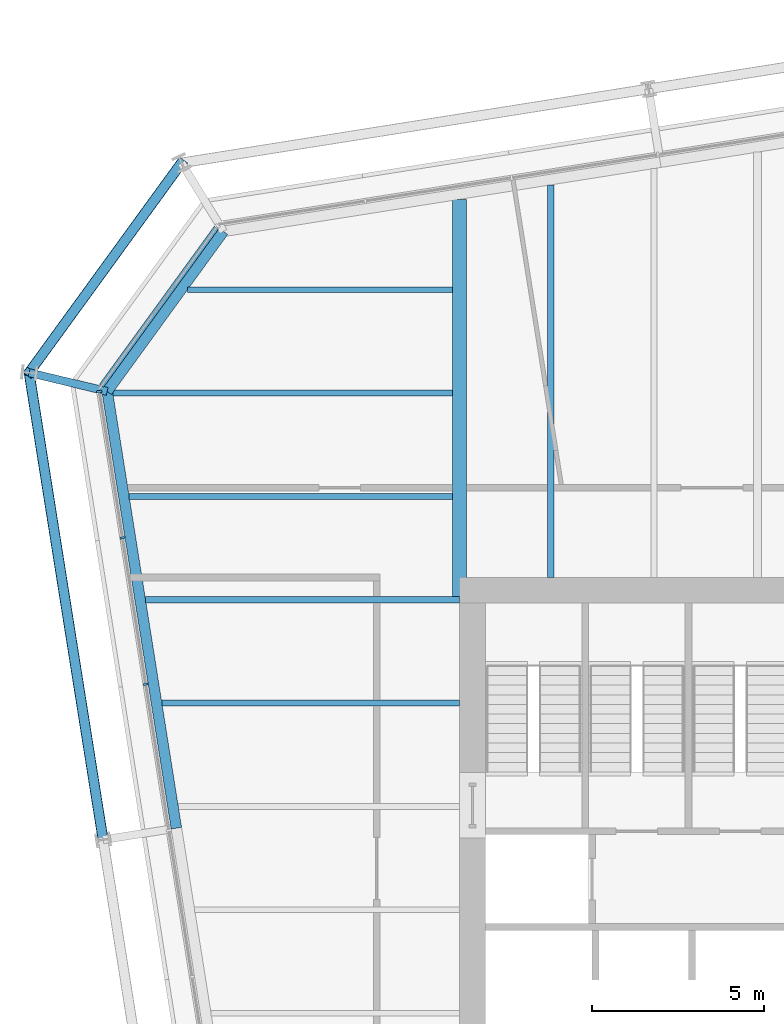
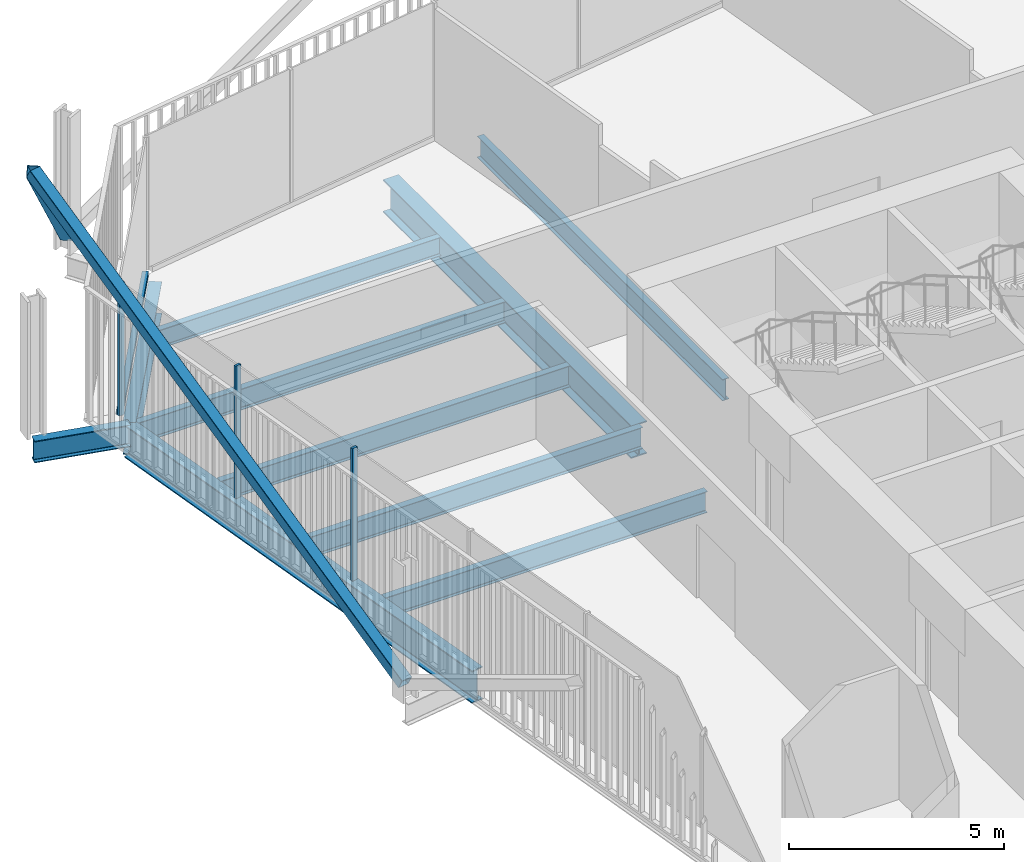
# One storey, part 10 of 22: 10 beams, 6 members, 2 elements without a shape of their own.
"""IFC4 building model written with IfcOpenShell, lengths in metres."""

from ifc_helpers import new_model, si_unit, direction, frame, origin, origin_2d, place, context, subcontext, project, spatial, rectangle, hollow_rectangle, i_section, extrude, material, layer, layer_set, material_profile, profile_set, type_object, element, aggregate, save


model = new_model("IFC4")

# Units and contexts
model_context = context("Model", 3, precision=1e-05, world=origin(), true_north=direction((0.0, 1.0)))
body_context = subcontext(model_context, "Body", "Model", "MODEL_VIEW")
ifc_project = project(units=[si_unit("LENGTHUNIT", "METRE"), si_unit("AREAUNIT", "SQUARE_METRE"), si_unit("VOLUMEUNIT", "CUBIC_METRE"), si_unit("PLANEANGLEUNIT", "RADIAN"), si_unit("MASSUNIT", "GRAM", prefix="KILO")], contexts=[model_context])

# Site, building, storey
site_placement = place(None, origin())
site = spatial("IfcSite", under=ifc_project, at=site_placement, CompositionType="ELEMENT")
building_placement = place(site_placement, origin())
building = spatial("IfcBuilding", under=site, at=building_placement, Name="Millrace Tower", CompositionType="ELEMENT")
storey_placement = place(building_placement, frame((0.0, 0.0, 160.699951171875)))
storey = spatial("IfcBuildingStorey", under=building, at=storey_placement, Name="L36", CompositionType="ELEMENT", Elevation=160.699951171875)

# Curtain wall, members
ifc_material_1 = material(Name="Aluminium and glass", Category="aluminium")
ifc_layer = layer(ifc_material_1, 0.14990234375)
ifc_layer_set = layer_set([ifc_layer], Name="Aluminium and glass")
curtain_wall_type = type_object("IfcCurtainWallType", Name="CW-1 office vision curtain wall", PredefinedType="NOTDEFINED", material=ifc_layer_set)
placement = place(storey_placement, origin())
curtain_wall_1 = element("IfcCurtainWall", 1, at=placement, inside=storey, type_object=curtain_wall_type, Name="Curtain wall C-F08 L36", PredefinedType="NOTDEFINED")
ifc_material_2 = material(Name="Aluminium", Category="aluminium")
ifc_material_profile_1 = material_profile(ifc_material_2, rectangle(XDim=0.06494140625, YDim=0.14990234375, at=origin_2d()))
ifc_profile_set_1 = profile_set([ifc_material_profile_1], Name="Aluminium")
member_type_1 = type_object("IfcMemberType", Name="CW-1 office vision curtain wall mullion", PredefinedType="MULLION", material=ifc_profile_set_1)
member_1_placement = place(storey_placement, frame((-25.106689453125, 15.041748046875, 0.14013671875), z_axis=(0.0, 0.0, 1.0), x_axis=(0.15643447328, -0.98768833929, 0.0)))
member_1 = element("IfcMember", 2, at=member_1_placement, type_object=member_type_1, Name="CW1 mullion C-F08.1", PredefinedType="MULLION", context=body_context, shape_type="SweptSolid", body=[
    extrude(rectangle(XDim=0.06494140625, YDim=0.14990234375, at=origin_2d()), origin(), (0.0, 0.0, 1.0), 3.760009765625),
])
member_2_placement = place(storey_placement, frame((-24.43408203125, 10.794677734375, 0.14013671875), z_axis=(0.0, 0.0, 1.0), x_axis=(0.15643447328, -0.98768833929, 0.0)))
member_2 = element("IfcMember", 3, at=member_2_placement, type_object=member_type_1, Name="CW1 mullion C-F08.2", PredefinedType="MULLION", context=body_context, shape_type="SweptSolid", body=[
    extrude(rectangle(XDim=0.06494140625, YDim=0.14990234375, at=origin_2d()), origin(), (0.0, 0.0, 1.0), 3.760009765625),
])
member_3_placement = place(storey_placement, frame((-23.76123046875, 6.547607421875, 0.14013671875), z_axis=(0.0, 0.0, 1.0), x_axis=(0.15643447328, -0.98768833929, 0.0)))
member_3 = element("IfcMember", 4, at=member_3_placement, type_object=member_type_1, Name="CW1 mullion C-F08.3", PredefinedType="MULLION", context=body_context, shape_type="SweptSolid", body=[
    extrude(rectangle(XDim=0.06494140625, YDim=0.14990234375, at=origin_2d()), origin(), (0.0, 0.0, 1.0), 3.760009765625),
])
aggregate(curtain_wall_1, [member_1, member_2, member_3])

# Curtain wall, member
curtain_wall_2 = element("IfcCurtainWall", 5, at=placement, inside=storey, type_object=curtain_wall_type, Name="Curtain wall C-F07 L36", PredefinedType="NOTDEFINED")
ifc_material_3 = material(Name="Aluminium", Category="aluminium")
ifc_material_profile_2 = material_profile(ifc_material_3, rectangle(XDim=0.14990234375, YDim=0.139892578125, at=origin_2d()))
ifc_profile_set_2 = profile_set([ifc_material_profile_2], Name="Aluminium")
member_type_2 = type_object("IfcMemberType", Name="CW-1 office vision curtain wall transom", PredefinedType="USERDEFINED", material=ifc_profile_set_2)
member_4_placement = place(storey_placement, frame((-21.70751953125, 19.796875, 0.070068359375), z_axis=(-0.587761915215, -0.80903394924, 0.0), x_axis=(0.80903394924, -0.587761915215, 0.0)))
member_4 = element("IfcMember", 6, at=member_4_placement, type_object=member_type_2, Name="CW1 transom C-F07.1", ObjectType="TRANSOM", PredefinedType="USERDEFINED", context=body_context, shape_type="SweptSolid", body=[
    extrude(rectangle(XDim=0.14990234375, YDim=0.139892578125, at=origin_2d()), origin(), (0.0, 0.0, 1.0), 5.6689453125),
])
aggregate(curtain_wall_2, [member_4])

# Members
ifc_material_4 = material(Name="Steel ASTM A500 Grade C", Category="steel")
ifc_material_profile_3 = material_profile(ifc_material_4, hollow_rectangle(XDim=0.3046875, YDim=0.3046875, WallThickness=0.0126953125, InnerFilletRadius=0.00634765625, OuterFilletRadius=0.01904296875, at=origin_2d()))
ifc_profile_set_3 = profile_set([ifc_material_profile_3], Name="Steel ASTM A500 Grade C")
member_type_3 = type_object("IfcMemberType", Name="Exoskeleton brace HSS12x12x1/2", PredefinedType="BRACE", material=ifc_profile_set_3)
member_5_placement = place(storey_placement, frame((-22.718994140625, 21.679443359375, 0.400146484375), z_axis=(-0.430389097037, -0.592387752691, 0.681059450866), x_axis=(0.809020759968, -0.587780069364, 0.0)))
element("IfcMember", 7, at=member_5_placement, inside=storey, type_object=member_type_3, Name="BRC-C-L36-13", PredefinedType="BRACE", context=body_context, shape_type="SweptSolid", body=[
    extrude(hollow_rectangle(XDim=0.3046875, YDim=0.3046875, WallThickness=0.0126953125, InnerFilletRadius=0.00634765625, OuterFilletRadius=0.01904296875, at=origin_2d()), origin(), (0.0, 0.0, 1.0), 10.278076171875),
])
member_6_placement = place(storey_placement, frame((-24.9951171875, 2.031494140625, 0.400146484375), z_axis=(-0.139355372932, 0.879906554943, 0.454251620363), x_axis=(-0.987689751328, -0.156425557764, 0.0)))
element("IfcMember", 8, at=member_6_placement, inside=storey, type_object=member_type_3, Name="BRC-C-L36-14", PredefinedType="BRACE", context=body_context, shape_type="SweptSolid", body=[
    extrude(hollow_rectangle(XDim=0.3046875, YDim=0.3046875, WallThickness=0.0126953125, InnerFilletRadius=0.00634765625, OuterFilletRadius=0.01904296875, at=origin_2d()), origin(), (0.0, 0.0, 1.0), 15.409912109375),
])

# Beams
ifc_material_5 = material(Name="Steel ASTM A992 Grade 50", Category="steel")
ifc_material_profile_4 = material_profile(ifc_material_5, i_section(OverallWidth=0.1650390625, OverallDepth=0.52587890625, WebThickness=0.0087890625, FlangeThickness=0.011474609375, FilletRadius=0.0126953125, at=origin_2d()))
ifc_profile_set_4 = profile_set([ifc_material_profile_4], Name="Steel ASTM A992 Grade 50")
beam_type_1 = type_object("IfcBeamType", Name="Floor beam W21x44", PredefinedType="JOIST", material=ifc_profile_set_4)
beam_1_placement = place(storey_placement, frame((-22.540283203125, 18.0, -0.4228515625), z_axis=(1.0, 0.0, 0.0), x_axis=(0.0, 1.0, 0.0)))
element("IfcBeam", 9, at=beam_1_placement, inside=storey, type_object=beam_type_1, Name="BM-C-L36-S1-S035", PredefinedType="JOIST", context=body_context, shape_type="SweptSolid", body=[
    extrude(i_section(OverallWidth=0.1650390625, OverallDepth=0.52587890625, WebThickness=0.0087890625, FlangeThickness=0.011474609375, FilletRadius=0.0126953125, at=origin_2d()), origin(), (0.0, 0.0, 1.0), 7.6806640625),
])
ifc_material_6 = material(Name="Steel ASTM A992 Grade 50", Category="steel")
ifc_material_profile_5 = material_profile(ifc_material_6, i_section(OverallWidth=0.177978515625, OverallDepth=0.599365234375, WebThickness=0.010009765625, FlangeThickness=0.012939453125, FilletRadius=0.012939453125, at=origin_2d()))
ifc_profile_set_5 = profile_set([ifc_material_profile_5], Name="Steel ASTM A992 Grade 50")
beam_type_2 = type_object("IfcBeamType", Name="Floor beam W24x55", PredefinedType="JOIST", material=ifc_profile_set_5)
beam_2_placement = place(storey_placement, frame((-23.28759765625, 6.0, -0.459716796875), z_axis=(1.0, 0.0, 0.0), x_axis=(0.0, 1.0, 0.0)))
element("IfcBeam", 10, at=beam_2_placement, inside=storey, type_object=beam_type_2, Name="BM-C-L36-S1-S026", PredefinedType="JOIST", context=body_context, shape_type="SweptSolid", body=[
    extrude(i_section(OverallWidth=0.177978515625, OverallDepth=0.599365234375, WebThickness=0.010009765625, FlangeThickness=0.012939453125, FilletRadius=0.012939453125, at=origin_2d()), origin(), (0.0, 0.0, 1.0), 8.6376953125),
])
beam_3_placement = place(storey_placement, frame((-23.7626953125, 9.0, -0.459716796875), z_axis=(1.0, 0.0, 0.0), x_axis=(0.0, 1.0, 0.0)))
element("IfcBeam", 11, at=beam_3_placement, inside=storey, type_object=beam_type_2, Name="BM-C-L36-S1-S029", PredefinedType="JOIST", context=body_context, shape_type="SweptSolid", body=[
    extrude(i_section(OverallWidth=0.177978515625, OverallDepth=0.599365234375, WebThickness=0.010009765625, FlangeThickness=0.012939453125, FilletRadius=0.012939453125, at=origin_2d()), origin(), (0.0, 0.0, 1.0), 9.11279296875),
])
beam_4_placement = place(storey_placement, frame((-24.23779296875, 12.0, -0.459716796875), z_axis=(1.0, 0.0, 0.0), x_axis=(0.0, 1.0, 0.0)))
element("IfcBeam", 12, at=beam_4_placement, inside=storey, type_object=beam_type_2, Name="BM-C-L36-S1-S031", PredefinedType="JOIST", context=body_context, shape_type="SweptSolid", body=[
    extrude(i_section(OverallWidth=0.177978515625, OverallDepth=0.599365234375, WebThickness=0.010009765625, FlangeThickness=0.012939453125, FilletRadius=0.012939453125, at=origin_2d()), origin(), (0.0, 0.0, 1.0), 9.378173828125),
])
beam_5_placement = place(storey_placement, frame((-24.712890625, 15.0, -0.459716796875), z_axis=(1.0, 0.0, 0.0), x_axis=(0.0, 1.0, 0.0)))
element("IfcBeam", 13, at=beam_5_placement, inside=storey, type_object=beam_type_2, Name="BM-C-L36-S1-S033", PredefinedType="JOIST", context=body_context, shape_type="SweptSolid", body=[
    extrude(i_section(OverallWidth=0.177978515625, OverallDepth=0.599365234375, WebThickness=0.010009765625, FlangeThickness=0.012939453125, FilletRadius=0.012939453125, at=origin_2d()), origin(), (0.0, 0.0, 1.0), 9.853271484375),
])
ifc_material_7 = material(Name="Steel ASTM A992 Grade 50", Category="steel")
ifc_material_profile_6 = material_profile(ifc_material_7, i_section(OverallWidth=0.1787109375, OverallDepth=0.60205078125, WebThickness=0.010986328125, FlangeThickness=0.014892578125, FilletRadius=0.0126953125, at=origin_2d()))
ifc_profile_set_6 = profile_set([ifc_material_profile_6], Name="Steel ASTM A992 Grade 50")
beam_type_3 = type_object("IfcBeamType", Name="Floor beam W24x62", PredefinedType="JOIST", material=ifc_profile_set_6)
beam_6_placement = place(storey_placement, frame((-12.0, 9.64990234375, -0.4609375), z_axis=(0.0, 1.0, 0.0), x_axis=(-1.0, 0.0, 0.0)))
element("IfcBeam", 14, at=beam_6_placement, inside=storey, type_object=beam_type_3, Name="BM-C-L36-S1-S039", PredefinedType="JOIST", context=body_context, shape_type="SweptSolid", body=[
    extrude(i_section(OverallWidth=0.1787109375, OverallDepth=0.60205078125, WebThickness=0.010986328125, FlangeThickness=0.014892578125, FilletRadius=0.0126953125, at=origin_2d()), origin(), (0.0, 0.0, 1.0), 11.39111328125),
])
ifc_material_8 = material(Name="Steel ASTM A992 Grade 50", Category="steel")
ifc_material_profile_7 = material_profile(ifc_material_8, i_section(OverallWidth=0.419189453125, OverallDepth=0.927001953125, WebThickness=0.019287109375, FlangeThickness=0.031982421875, FilletRadius=0.024169921875, at=origin_2d()))
ifc_profile_set_7 = profile_set([ifc_material_profile_7], Name="Steel ASTM A992 Grade 50")
beam_type_4 = type_object("IfcBeamType", Name="Girder short span W36x231", PredefinedType="BEAM", material=ifc_profile_set_7)
beam_7_placement = place(storey_placement, frame((-14.64990234375, 9.090087890625, -0.62353515625), z_axis=(0.0, 1.0, 0.0), x_axis=(-1.0, 0.0, 0.0)))
element("IfcBeam", 15, at=beam_7_placement, inside=storey, type_object=beam_type_4, Name="BM-C-L36-S1-G057", PredefinedType="BEAM", context=body_context, shape_type="SweptSolid", body=[
    extrude(i_section(OverallWidth=0.419189453125, OverallDepth=0.927001953125, WebThickness=0.019287109375, FlangeThickness=0.031982421875, FilletRadius=0.024169921875, at=origin_2d()), origin(), (0.0, 0.0, 1.0), 11.523193359375),
])
ifc_material_9 = material(Name="Steel ASTM A992 Grade 50", Category="steel")
ifc_material_profile_8 = material_profile(ifc_material_9, i_section(OverallWidth=0.23046875, OverallDepth=0.6171875, WebThickness=0.01318359375, FlangeThickness=0.022216796875, FilletRadius=0.012939453125, at=origin_2d()))
ifc_profile_set_8 = profile_set([ifc_material_profile_8], Name="Steel ASTM A992 Grade 50")
beam_type_5 = type_object("IfcBeamType", Name="Link beam W24x94", PredefinedType="BEAM", material=ifc_profile_set_8)
beam_8_placement = place(storey_placement, frame((-24.8759765625, 15.046630859375, -0.468505859375), z_axis=(-0.972367333652, 0.233456138164, 0.0), x_axis=(-0.233456138164, -0.972367333652, 0.0)))
element("IfcBeam", 16, at=beam_8_placement, inside=storey, type_object=beam_type_5, Name="LNK-C-L36-S1-04", PredefinedType="BEAM", context=body_context, shape_type="SweptSolid", body=[
    extrude(i_section(OverallWidth=0.23046875, OverallDepth=0.6171875, WebThickness=0.01318359375, FlangeThickness=0.022216796875, FilletRadius=0.012939453125, at=origin_2d()), origin(), (0.0, 0.0, 1.0), 2.3310546875),
])
ifc_material_10 = material(Name="Steel ASTM A992 Grade 50", Category="steel")
ifc_material_profile_9 = material_profile(ifc_material_10, i_section(OverallWidth=0.307373046875, OverallDepth=0.927001953125, WebThickness=0.01953125, FlangeThickness=0.031982421875, FilletRadius=0.01904296875, at=origin_2d()))
ifc_profile_set_9 = profile_set([ifc_material_profile_9], Name="Steel ASTM A992 Grade 50")
beam_type_6 = type_object("IfcBeamType", Name="Ring beam medium span W36x194", PredefinedType="SPANDREL", material=ifc_profile_set_9)
beam_9_placement = place(storey_placement, frame((-22.867919921875, 2.368408203125, -0.62353515625), z_axis=(-0.156436246498, 0.987688058438, 0.0), x_axis=(-0.987688058438, -0.156436246498, 0.0)))
element("IfcBeam", 17, at=beam_9_placement, inside=storey, type_object=beam_type_6, Name="RNG-C-L36-S1-03", PredefinedType="SPANDREL", context=body_context, shape_type="SweptSolid", body=[
    extrude(i_section(OverallWidth=0.307373046875, OverallDepth=0.927001953125, WebThickness=0.01953125, FlangeThickness=0.031982421875, FilletRadius=0.01904296875, at=origin_2d()), origin(), (0.0, 0.0, 1.0), 12.836181640625),
])
ifc_material_11 = material(Name="Steel ASTM A992 Grade 50", Category="steel")
ifc_material_profile_10 = material_profile(ifc_material_11, i_section(OverallWidth=0.307373046875, OverallDepth=0.927001953125, WebThickness=0.01953125, FlangeThickness=0.031982421875, FilletRadius=0.01904296875, at=origin_2d()))
ifc_profile_set_10 = profile_set([ifc_material_profile_10], Name="Steel ASTM A992 Grade 50")
beam_type_7 = type_object("IfcBeamType", Name="Ring beam short span W36x194", PredefinedType="SPANDREL", material=ifc_profile_set_10)
beam_10_placement = place(storey_placement, frame((-24.8759765625, 15.046630859375, -0.62353515625), z_axis=(0.587787348381, 0.809015471473, 0.0), x_axis=(-0.809015471473, 0.587787348381, 0.0)))
element("IfcBeam", 18, at=beam_10_placement, inside=storey, type_object=beam_type_7, Name="RNG-C-L36-S1-04", PredefinedType="SPANDREL", context=body_context, shape_type="SweptSolid", body=[
    extrude(i_section(OverallWidth=0.307373046875, OverallDepth=0.927001953125, WebThickness=0.01953125, FlangeThickness=0.031982421875, FilletRadius=0.01904296875, at=origin_2d()), origin(), (0.0, 0.0, 1.0), 5.741943359375),
])

save(model, "model.ifc")
